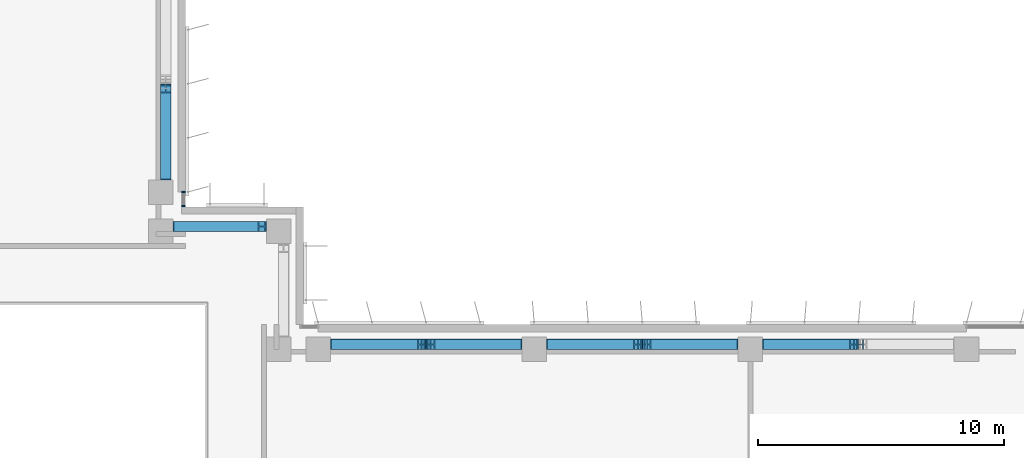
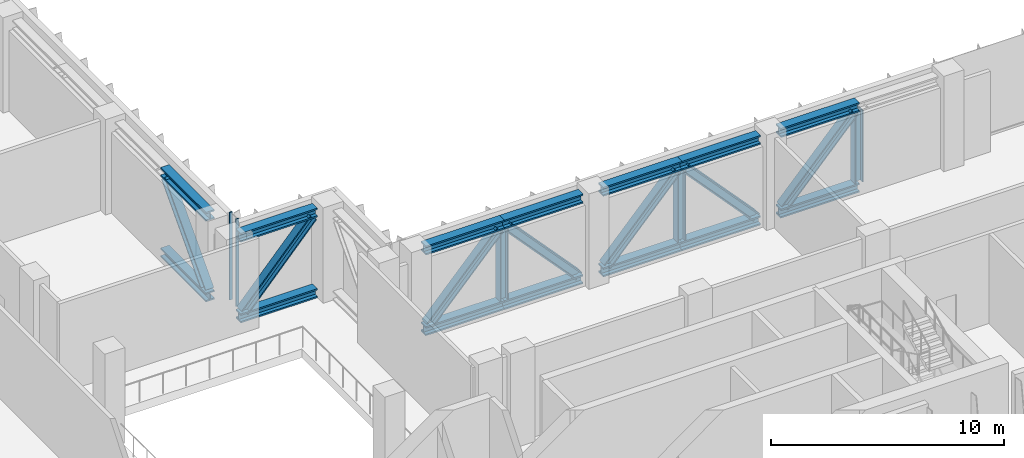
# One storey, part 3 of 17: 14 beams, 12 members, 1 element without a shape of its own.
"""IFC4 building model written with IfcOpenShell, lengths in metres."""

from ifc_helpers import new_model, si_unit, direction, frame, origin, origin_2d, place, context, subcontext, project, spatial, rectangle, i_section, extrude, source, transform, mapped, material, material_profile, profile_set, type_object, element, aggregate, save


model = new_model("IFC4")

# Units and contexts
model_context = context("Model", 3, precision=1e-05, world=origin(), true_north=direction((0.0, 1.0)))
body_context = subcontext(model_context, "Body", "Model", "MODEL_VIEW")
ifc_project = project(units=[si_unit("LENGTHUNIT", "METRE"), si_unit("AREAUNIT", "SQUARE_METRE"), si_unit("VOLUMEUNIT", "CUBIC_METRE"), si_unit("PLANEANGLEUNIT", "RADIAN"), si_unit("MASSUNIT", "GRAM", prefix="KILO")], contexts=[model_context])

# Site, building, storey
site_placement = place(None, origin())
site = spatial("IfcSite", under=ifc_project, at=site_placement, CompositionType="ELEMENT")
building_placement = place(site_placement, origin())
building = spatial("IfcBuilding", under=site, at=building_placement, Name="Kemantara Hotel Tower", CompositionType="ELEMENT")
storey_placement = place(building_placement, frame((0.0, 0.0, 193.800048828125)))
storey = spatial("IfcBuildingStorey", under=building, at=storey_placement, Name="L48", CompositionType="ELEMENT", Elevation=193.800048828125)

# Beams
ifc_material_1 = material(Name="Steel ASTM A992 Grade 50", Category="steel")
ifc_material_profile_1 = material_profile(ifc_material_1, i_section(OverallWidth=0.424072265625, OverallDepth=0.47509765625, WebThickness=0.0478515625, FlangeThickness=0.0771484375, at=origin_2d()), Name="W360X634")
ifc_profile_set_1 = profile_set([ifc_material_profile_1], Name="Steel ASTM A992 Grade 50")
beam_type = type_object("IfcBeamType", Name="BELT L48 TRUSS CHORD W360X634", PredefinedType="BEAM", material=ifc_profile_set_1)
for number, where, z_axis, x_axis, name in (
    (1, (21.199951171875, 27.89990234375, 0.237548828125), (0.0, 1.0, 0.0), (-1.0, 0.0, 0.0), "BELT L48 BAY 8 bottom chord 1"),
    (2, (21.199951171875, 27.89990234375, 4.46240234375), (0.0, 1.0, 0.0), (-1.0, 0.0, 0.0), "BELT L48 BAY 8 top chord 1"),
    (3, (27.89990234375, 21.199951171875, 0.237548828125), (1.0, 0.0, 0.0), (0.0, 1.0, 0.0), "BELT L48 BAY 13 bottom chord 1"),
):
    element("IfcBeam", number, at=place(storey_placement, frame(where, z_axis=z_axis, x_axis=x_axis)), inside=storey, type_object=beam_type, Name=name, PredefinedType="BEAM", context=body_context, shape_type="SweptSolid", body=[
        extrude(i_section(OverallWidth=0.424072265625, OverallDepth=0.47509765625, WebThickness=0.0478515625, FlangeThickness=0.0771484375, at=origin_2d()), origin(), (0.0, 0.0, 1.0), 3.900146484375),
    ])
beam_1_placement = place(storey_placement, frame((31.800048828125, 21.199951171875, 0.237548828125), z_axis=(1.0, 0.0, 0.0), x_axis=(0.0, 1.0, 0.0)))
element("IfcBeam", 4, at=beam_1_placement, inside=storey, type_object=beam_type, Name="BELT L48 BAY 13 bottom chord 2", PredefinedType="BEAM", context=body_context, shape_type="SweptSolid", body=[
    extrude(i_section(OverallWidth=0.424072265625, OverallDepth=0.47509765625, WebThickness=0.0478515625, FlangeThickness=0.0771484375, at=origin_2d()), origin(), (0.0, 0.0, 1.0), 3.89990234375),
])
beam_2_placement = place(storey_placement, frame((27.89990234375, 21.199951171875, 4.46240234375), z_axis=(1.0, 0.0, 0.0), x_axis=(0.0, 1.0, 0.0)))
element("IfcBeam", 5, at=beam_2_placement, inside=storey, type_object=beam_type, Name="BELT L48 BAY 13 top chord 1", PredefinedType="BEAM", context=body_context, shape_type="SweptSolid", body=[
    extrude(i_section(OverallWidth=0.424072265625, OverallDepth=0.47509765625, WebThickness=0.0478515625, FlangeThickness=0.0771484375, at=origin_2d()), origin(), (0.0, 0.0, 1.0), 3.900146484375),
])
beam_3_placement = place(storey_placement, frame((31.800048828125, 21.199951171875, 4.46240234375), z_axis=(1.0, 0.0, 0.0), x_axis=(0.0, 1.0, 0.0)))
element("IfcBeam", 6, at=beam_3_placement, inside=storey, type_object=beam_type, Name="BELT L48 BAY 13 top chord 2", PredefinedType="BEAM", context=body_context, shape_type="SweptSolid", body=[
    extrude(i_section(OverallWidth=0.424072265625, OverallDepth=0.47509765625, WebThickness=0.0478515625, FlangeThickness=0.0771484375, at=origin_2d()), origin(), (0.0, 0.0, 1.0), 3.89990234375),
])
beam_4_placement = place(storey_placement, frame((36.699951171875, 21.199951171875, 0.237548828125), z_axis=(1.0, 0.0, 0.0), x_axis=(0.0, 1.0, 0.0)))
element("IfcBeam", 7, at=beam_4_placement, inside=storey, type_object=beam_type, Name="BELT L48 BAY 14 bottom chord 1", PredefinedType="BEAM", context=body_context, shape_type="SweptSolid", body=[
    extrude(i_section(OverallWidth=0.424072265625, OverallDepth=0.47509765625, WebThickness=0.0478515625, FlangeThickness=0.0771484375, at=origin_2d()), origin(), (0.0, 0.0, 1.0), 3.900146484375),
])
beam_5_placement = place(storey_placement, frame((40.60009765625, 21.199951171875, 0.237548828125), z_axis=(1.0, 0.0, 0.0), x_axis=(0.0, 1.0, 0.0)))
element("IfcBeam", 8, at=beam_5_placement, inside=storey, type_object=beam_type, Name="BELT L48 BAY 14 bottom chord 2", PredefinedType="BEAM", context=body_context, shape_type="SweptSolid", body=[
    extrude(i_section(OverallWidth=0.424072265625, OverallDepth=0.47509765625, WebThickness=0.0478515625, FlangeThickness=0.0771484375, at=origin_2d()), origin(), (0.0, 0.0, 1.0), 3.89990234375),
])
beam_6_placement = place(storey_placement, frame((36.699951171875, 21.199951171875, 4.46240234375), z_axis=(1.0, 0.0, 0.0), x_axis=(0.0, 1.0, 0.0)))
element("IfcBeam", 9, at=beam_6_placement, inside=storey, type_object=beam_type, Name="BELT L48 BAY 14 top chord 1", PredefinedType="BEAM", context=body_context, shape_type="SweptSolid", body=[
    extrude(i_section(OverallWidth=0.424072265625, OverallDepth=0.47509765625, WebThickness=0.0478515625, FlangeThickness=0.0771484375, at=origin_2d()), origin(), (0.0, 0.0, 1.0), 3.900146484375),
])
for number, where, z_axis, x_axis, name in (
    (10, (40.60009765625, 21.199951171875, 4.46240234375), (1.0, 0.0, 0.0), (0.0, 1.0, 0.0), "BELT L48 BAY 14 top chord 2"),
    (11, (45.5, 21.199951171875, 0.237548828125), (1.0, 0.0, 0.0), (0.0, 1.0, 0.0), "BELT L48 BAY 15 bottom chord 1"),
    (12, (45.5, 21.199951171875, 4.46240234375), (1.0, 0.0, 0.0), (0.0, 1.0, 0.0), "BELT L48 BAY 15 top chord 1"),
):
    element("IfcBeam", number, at=place(storey_placement, frame(where, z_axis=z_axis, x_axis=x_axis)), inside=storey, type_object=beam_type, Name=name, PredefinedType="BEAM", context=body_context, shape_type="SweptSolid", body=[
        extrude(i_section(OverallWidth=0.424072265625, OverallDepth=0.47509765625, WebThickness=0.0478515625, FlangeThickness=0.0771484375, at=origin_2d()), origin(), (0.0, 0.0, 1.0), 3.89990234375),
    ])
for number, where, z_axis, x_axis, name in (
    (13, (21.5, 26.0, 0.237548828125), (1.0, 0.0, 0.0), (0.0, 1.0, 0.0), "BELT L48 BAY 16 bottom chord 1"),
    (14, (21.5, 26.0, 4.46240234375), (1.0, 0.0, 0.0), (0.0, 1.0, 0.0), "BELT L48 BAY 16 top chord 1"),
):
    element("IfcBeam", number, at=place(storey_placement, frame(where, z_axis=z_axis, x_axis=x_axis)), inside=storey, type_object=beam_type, Name=name, PredefinedType="BEAM", context=body_context, shape_type="SweptSolid", body=[
        extrude(i_section(OverallWidth=0.424072265625, OverallDepth=0.47509765625, WebThickness=0.0478515625, FlangeThickness=0.0771484375, at=origin_2d()), origin(), (0.0, 0.0, 1.0), 3.800048828125),
    ])

# Members
ifc_material_profile_2 = material_profile(ifc_material_1, i_section(OverallWidth=0.410888671875, OverallDepth=0.43408203125, WebThickness=0.035888671875, FlangeThickness=0.057373046875, at=origin_2d()), Name="W360X463")
ifc_profile_set_2 = profile_set([ifc_material_profile_2], Name="Steel ASTM A992 Grade 50")
member_type_1 = type_object("IfcMemberType", Name="BELT L48 TRUSS DIAGONAL W360X463", PredefinedType="BRACE", material=ifc_profile_set_2)
for number, where, z_axis, x_axis, name in (
    (15, (21.199951171875, 28.09814453125, 0.4521484375), (0.0, 0.678278139711, 0.734805256643), (-1.0, 0.0, 0.0), "BELT L48 BAY 8 diagonal 1"),
    (16, (28.09814453125, 21.199951171875, 0.4521484375), (0.678278139711, 0.0, 0.734805256643), (0.0, 1.0, 0.0), "BELT L48 BAY 13 diagonal 1"),
):
    element("IfcMember", number, at=place(storey_placement, frame(where, z_axis=z_axis, x_axis=x_axis)), inside=storey, type_object=member_type_1, Name=name, PredefinedType="BRACE", context=body_context, shape_type="SweptSolid", body=[
        extrude(i_section(OverallWidth=0.410888671875, OverallDepth=0.43408203125, WebThickness=0.035888671875, FlangeThickness=0.057373046875, at=origin_2d()), origin(), (0.0, 0.0, 1.0), 5.16552734375),
    ])
member_1_placement = place(storey_placement, frame((35.501708984375, 21.199951171875, 0.4521484375), z_axis=(-0.678252619101, 0.0, 0.734828813182), x_axis=(0.0, -1.0, 0.0)))
element("IfcMember", 17, at=member_1_placement, inside=storey, type_object=member_type_1, Name="BELT L48 BAY 13 diagonal 2", PredefinedType="BRACE", context=body_context, shape_type="SweptSolid", body=[
    extrude(i_section(OverallWidth=0.410888671875, OverallDepth=0.43408203125, WebThickness=0.035888671875, FlangeThickness=0.057373046875, at=origin_2d()), origin(), (0.0, 0.0, 1.0), 5.165283203125),
])
member_2_placement = place(storey_placement, frame((36.898193359375, 21.199951171875, 0.4521484375), z_axis=(0.678278139711, 0.0, 0.734805256643), x_axis=(0.0, 1.0, 0.0)))
element("IfcMember", 18, at=member_2_placement, inside=storey, type_object=member_type_1, Name="BELT L48 BAY 14 diagonal 1", PredefinedType="BRACE", context=body_context, shape_type="SweptSolid", body=[
    extrude(i_section(OverallWidth=0.410888671875, OverallDepth=0.43408203125, WebThickness=0.035888671875, FlangeThickness=0.057373046875, at=origin_2d()), origin(), (0.0, 0.0, 1.0), 5.16552734375),
])
for number, where, z_axis, x_axis, name in (
    (19, (44.3017578125, 21.199951171875, 0.4521484375), (-0.678252619101, 0.0, 0.734828813182), (0.0, -1.0, 0.0), "BELT L48 BAY 14 diagonal 2"),
    (20, (45.6982421875, 21.199951171875, 0.4521484375), (0.678252619101, 0.0, 0.734828813182), (0.0, 1.0, 0.0), "BELT L48 BAY 15 diagonal 1"),
):
    element("IfcMember", number, at=place(storey_placement, frame(where, z_axis=z_axis, x_axis=x_axis)), inside=storey, type_object=member_type_1, Name=name, PredefinedType="BRACE", context=body_context, shape_type="SweptSolid", body=[
        extrude(i_section(OverallWidth=0.410888671875, OverallDepth=0.43408203125, WebThickness=0.035888671875, FlangeThickness=0.057373046875, at=origin_2d()), origin(), (0.0, 0.0, 1.0), 5.165283203125),
    ])
member_3_placement = place(storey_placement, frame((21.693115234375, 26.0, 0.4521484375), z_axis=(0.66871897102, 0.0, 0.743515257273), x_axis=(0.0, 1.0, 0.0)))
element("IfcMember", 21, at=member_3_placement, inside=storey, type_object=member_type_1, Name="BELT L48 BAY 16 diagonal 1", PredefinedType="BRACE", context=body_context, shape_type="SweptSolid", body=[
    extrude(i_section(OverallWidth=0.410888671875, OverallDepth=0.43408203125, WebThickness=0.035888671875, FlangeThickness=0.057373046875, at=origin_2d()), origin(), (0.0, 0.0, 1.0), 5.10498046875),
])
ifc_material_profile_3 = material_profile(ifc_material_1, i_section(OverallWidth=0.404052734375, OverallDepth=0.406005859375, WebThickness=0.027099609375, FlangeThickness=0.043701171875, at=origin_2d()), Name="W360X347")
ifc_profile_set_3 = profile_set([ifc_material_profile_3], Name="Steel ASTM A992 Grade 50")
member_type_2 = type_object("IfcMemberType", Name="BELT L48 TRUSS POST W360X347", PredefinedType="POST", material=ifc_profile_set_3)
for number, where, z_axis, x_axis, name in (
    (22, (31.800048828125, 21.199951171875, 0.474853515625), (0.0, 0.0, 1.0), (0.0, 1.0, 0.0), "BELT L48 BAY 13 post 2"),
    (23, (40.60009765625, 21.199951171875, 0.474853515625), (0.0, 0.0, 1.0), (0.0, 1.0, 0.0), "BELT L48 BAY 14 post 2"),
    (24, (49.39990234375, 21.199951171875, 0.474853515625), (0.0, 0.0, 1.0), (0.0, 1.0, 0.0), "BELT L48 BAY 15 post 2"),
):
    element("IfcMember", number, at=place(storey_placement, frame(where, z_axis=z_axis, x_axis=x_axis)), inside=storey, type_object=member_type_2, Name=name, PredefinedType="POST", context=body_context, shape_type="SweptSolid", body=[
        extrude(i_section(OverallWidth=0.404052734375, OverallDepth=0.406005859375, WebThickness=0.027099609375, FlangeThickness=0.043701171875, at=origin_2d()), origin(), (0.0, 0.0, 1.0), 3.75),
    ])

# Curtain wall, members
ifc_material_2 = material(Name="Low-E tinted double insulated glass 36 mm", Category="glass")
curtain_wall_type = type_object("IfcCurtainWallType", Name="TOWER CURTAIN WALL, FRONT FACES", PredefinedType="USERDEFINED", material=ifc_material_2)
curtain_wall_placement = place(storey_placement, origin())
curtain_wall = element("IfcCurtainWall", 25, at=curtain_wall_placement, inside=storey, type_object=curtain_wall_type, Name="CW4 L48 T3-R17-1", ObjectType="TOWER CURTAIN WALL, FRONT FACES", PredefinedType="USERDEFINED")
ifc_material_3 = material(Name="Aluminium 6063-T6 bronze anodised", Category="aluminium")
ifc_material_profile_4 = material_profile(ifc_material_3, rectangle(XDim=0.14990234375, YDim=0.06005859375, at=origin_2d()), Name="TOWER CURTAIN WALL, FRONT FACES MULLION")
ifc_profile_set_4 = profile_set([ifc_material_profile_4], Name="Aluminium 6063-T6 bronze anodised")
member_type_3 = type_object("IfcMemberType", Name="TOWER CURTAIN WALL, FRONT FACES MULLION", PredefinedType="MULLION", material=ifc_profile_set_4)
shared_shape = source(origin(), body_context, "Body", "SweptSolid", [
    extrude(rectangle(XDim=0.14990234375, YDim=0.06005859375, at=origin_2d()), origin(), (0.0, 0.0, 1.0), 4.580078125),
])
member_4_placement = place(storey_placement, frame((21.925048828125, 26.830078125, 0.119873046875), z_axis=(0.0, 0.0, 1.0), x_axis=(-1.0, 0.0, 0.0)))
member_4 = element("IfcMember", 26, at=member_4_placement, type_object=member_type_3, Name="CW4 mullion T3-R17-1.1", PredefinedType="MULLION", context=body_context, shape_type="MappedRepresentation", body=[
    mapped(shared_shape, transform((0.0, 0.0, 0.0))),
])
member_5_placement = place(storey_placement, frame((21.925048828125, 27.39990234375, 0.119873046875), z_axis=(0.0, 0.0, 1.0), x_axis=(-1.0, 0.0, 0.0)))
member_5 = element("IfcMember", 27, at=member_5_placement, type_object=member_type_3, Name="CW4 mullion T3-R17-1.2", PredefinedType="MULLION", context=body_context, shape_type="MappedRepresentation", body=[
    mapped(shared_shape, transform((0.0, 0.0, 0.0))),
])
aggregate(curtain_wall, [member_4, member_5])

save(model, "model.ifc")
